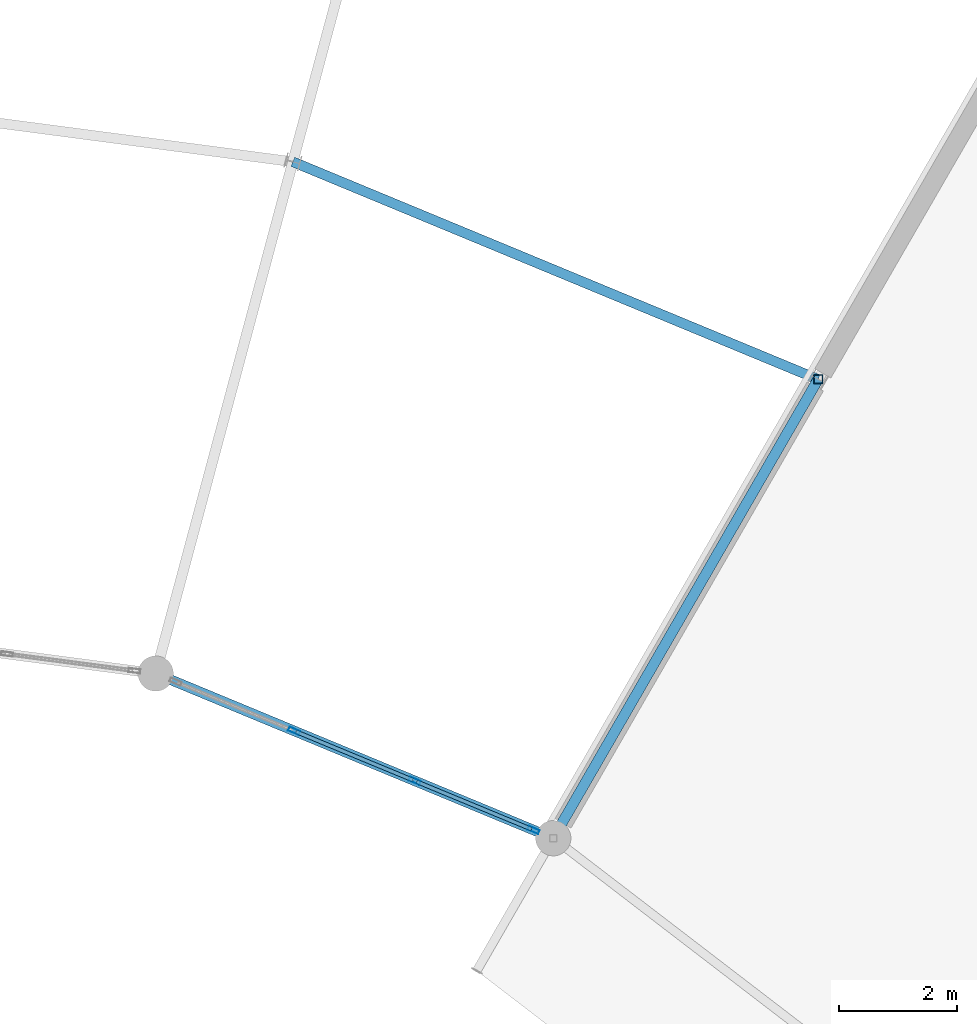
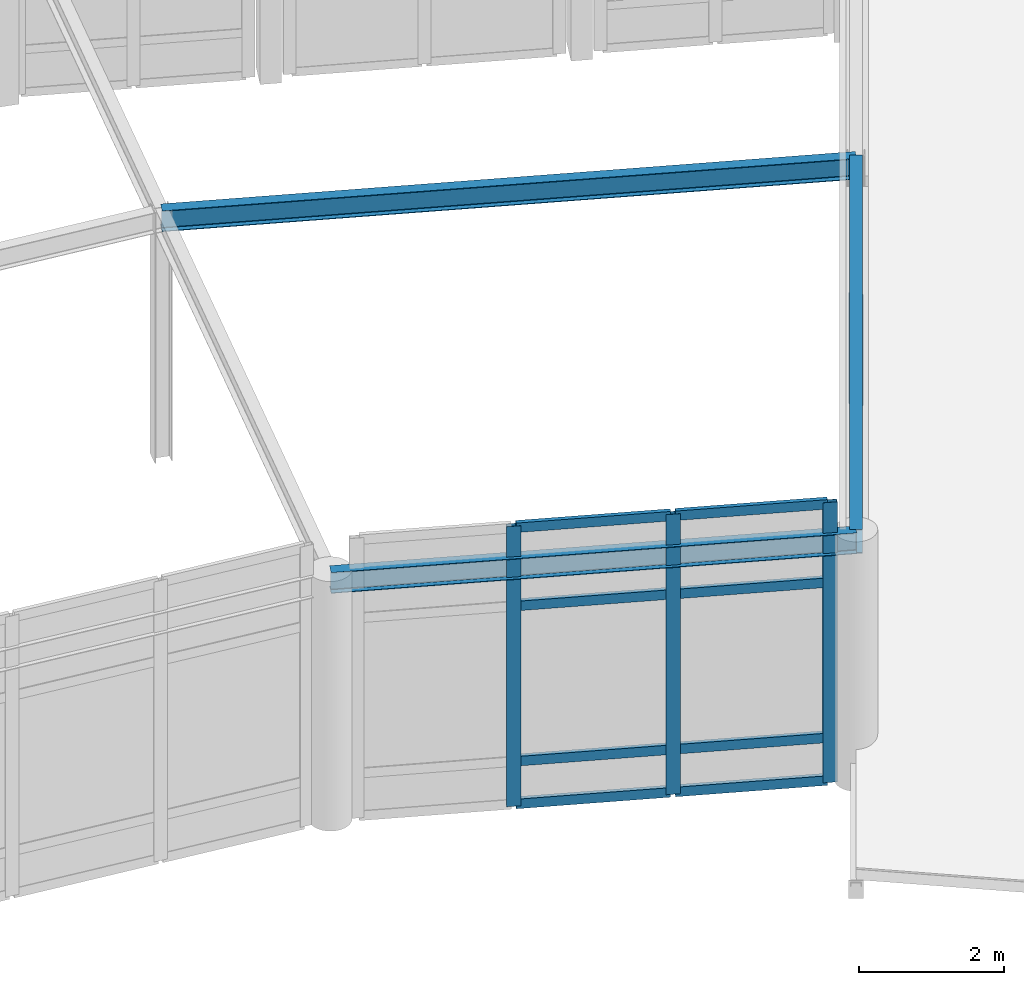
# One storey, part 51 of 93: 12 members, 3 beams, 1 element without a shape of its own.
"""IFC4 building model written with IfcOpenShell, lengths in metres."""

from ifc_helpers import new_model, si_unit, direction, frame, origin, origin_2d, place, context, subcontext, project, spatial, hollow_rectangle, i_section, extrude, material, material_profile, profile_set, type_object, element, aggregate, save


model = new_model("IFC4")

# Units and contexts
model_context = context("Model", 3, precision=1e-05, world=origin(), true_north=direction((0.0, 1.0)))
body_context = subcontext(model_context, "Body", "Model", "MODEL_VIEW")
ifc_project = project(units=[si_unit("LENGTHUNIT", "METRE"), si_unit("AREAUNIT", "SQUARE_METRE"), si_unit("VOLUMEUNIT", "CUBIC_METRE"), si_unit("PLANEANGLEUNIT", "RADIAN"), si_unit("MASSUNIT", "GRAM", prefix="KILO")], contexts=[model_context])

# Site, building, storey
site_placement = place(None, origin())
site = spatial("IfcSite", under=ifc_project, at=site_placement, CompositionType="ELEMENT")
building_placement = place(site_placement, origin())
building = spatial("IfcBuilding", under=site, at=building_placement, Name="Vondelvale Polytechnic", CompositionType="ELEMENT")
storey_placement = place(building_placement, frame((0.0, 0.0, 18.0)))
storey = spatial("IfcBuildingStorey", under=building, at=storey_placement, Name="L04", CompositionType="ELEMENT", Elevation=18.0)

# Beams
ifc_material_1 = material(Name="Steel 300PLUS (fy = 300 MPa)", Category="steel")
ifc_material_profile_1 = material_profile(ifc_material_1, i_section(OverallWidth=0.1708984375, OverallDepth=0.35205078125, WebThickness=0.0068359375, FlangeThickness=0.009765625, FilletRadius=0.011474609375, at=origin_2d()), Name="360UB44.7")
ifc_profile_set_1 = profile_set([ifc_material_profile_1], Name="Steel 300PLUS (fy = 300 MPa)")
beam_type_1 = type_object("IfcBeamType", Name="BM-UB360L", PredefinedType="BEAM", material=ifc_profile_set_1)
beam_1_placement = place(storey_placement, frame((116.0, 96.248779296875, 4.02392578125), z_axis=(-0.923886161226, 0.382667428841, 0.0), x_axis=(-0.382667428841, -0.923886161226, 0.0)))
element("IfcBeam", 1, at=beam_1_placement, inside=storey, type_object=beam_type_1, Name="L04 RE B-24", PredefinedType="BEAM", context=body_context, shape_type="SweptSolid", body=[
    extrude(i_section(OverallWidth=0.1708984375, OverallDepth=0.35205078125, WebThickness=0.0068359375, FlangeThickness=0.009765625, FilletRadius=0.011474609375, at=origin_2d()), origin(), (0.0, 0.0, 1.0), 7.3095703125),
])
beam_2_placement = place(storey_placement, frame((120.5, 104.04296875, 4.02392578125), z_axis=(-0.923878816854, 0.38268516011, 0.0), x_axis=(-0.38268516011, -0.923878816854, 0.0)))
element("IfcBeam", 2, at=beam_2_placement, inside=storey, type_object=beam_type_1, Name="L04 RE B-24", PredefinedType="BEAM", context=body_context, shape_type="SweptSolid", body=[
    extrude(i_section(OverallWidth=0.1708984375, OverallDepth=0.35205078125, WebThickness=0.0068359375, FlangeThickness=0.009765625, FilletRadius=0.011474609375, at=origin_2d()), origin(), (0.0, 0.0, 1.0), 9.658935546875),
])
ifc_material_profile_2 = material_profile(ifc_material_1, i_section(OverallWidth=0.177978515625, OverallDepth=0.403076171875, WebThickness=0.007568359375, FlangeThickness=0.010986328125, FilletRadius=0.011474609375, at=origin_2d()), Name="410UB53.7")
ifc_profile_set_2 = profile_set([ifc_material_profile_2], Name="Steel 300PLUS (fy = 300 MPa)")
beam_type_2 = type_object("IfcBeamType", Name="BM-UB410L", PredefinedType="BEAM", material=ifc_profile_set_2)
beam_3_placement = place(storey_placement, frame((116.0, 96.248779296875, 3.99853515625), z_axis=(0.5000018851, 0.866024315419, 0.0), x_axis=(-0.866024315419, 0.5000018851, 0.0)))
element("IfcBeam", 3, at=beam_3_placement, inside=storey, type_object=beam_type_2, Name="L04 REG B-23", PredefinedType="BEAM", context=body_context, shape_type="SweptSolid", body=[
    extrude(i_section(OverallWidth=0.177978515625, OverallDepth=0.403076171875, WebThickness=0.007568359375, FlangeThickness=0.010986328125, FilletRadius=0.011474609375, at=origin_2d()), origin(), (0.0, 0.0, 1.0), 9.0),
])

# Curtain wall, members
ifc_material_2 = material(Name="Anodised extruded aluminium 6063-T6", Category="aluminium")
curtain_wall_type = type_object("IfcCurtainWallType", Name="CW-RING-CLOISTER", PredefinedType="NOTDEFINED", material=ifc_material_2)
curtain_wall_placement = place(storey_placement, origin())
curtain_wall = element("IfcCurtainWall", 4, at=curtain_wall_placement, inside=storey, type_object=curtain_wall_type, Name="L04 architectural curtain wall CW-03-127", PredefinedType="NOTDEFINED")
ifc_material_profile_3 = material_profile(ifc_material_2, hollow_rectangle(XDim=0.070068359375, YDim=0.199951171875, WallThickness=0.00390625, at=origin_2d()), Name="CW-MUL-200x70")
ifc_profile_set_3 = profile_set([ifc_material_profile_3], Name="Anodised extruded aluminium 6063-T6")
member_type_1 = type_object("IfcMemberType", Name="CW-MUL-70x200", PredefinedType="MULLION", material=ifc_profile_set_3)
member_1_placement = place(storey_placement, frame((115.662841796875, 96.388427734375, 0.0), z_axis=(0.0, 0.0, 1.0), x_axis=(-0.382678531697, -0.923881562419, 0.0)))
member_1 = element("IfcMember", 5, at=member_1_placement, type_object=member_type_1, Name="CW-03-127 mullion 1", PredefinedType="MULLION", context=body_context, shape_type="SweptSolid", body=[
    extrude(hollow_rectangle(XDim=0.070068359375, YDim=0.199951171875, WallThickness=0.00390625, at=origin_2d()), origin(), (0.0, 0.0, 1.0), 4.713134765625),
])
member_2_placement = place(storey_placement, frame((113.647216796875, 97.22314453125, 0.0), z_axis=(0.0, 0.0, 1.0), x_axis=(-0.382678531697, -0.923881562419, 0.0)))
member_2 = element("IfcMember", 6, at=member_2_placement, type_object=member_type_1, Name="CW-03-127 mullion 2", PredefinedType="MULLION", context=body_context, shape_type="SweptSolid", body=[
    extrude(hollow_rectangle(XDim=0.070068359375, YDim=0.199951171875, WallThickness=0.00390625, at=origin_2d()), origin(), (0.0, 0.0, 1.0), 4.713134765625),
])
member_3_placement = place(storey_placement, frame((111.599609375, 98.0712890625, 0.0), z_axis=(0.0, 0.0, 1.0), x_axis=(-0.382678531697, -0.923881562419, 0.0)))
member_3 = element("IfcMember", 7, at=member_3_placement, type_object=member_type_1, Name="CW-03-127 mullion 3", PredefinedType="MULLION", context=body_context, shape_type="SweptSolid", body=[
    extrude(hollow_rectangle(XDim=0.070068359375, YDim=0.199951171875, WallThickness=0.00390625, at=origin_2d()), origin(), (0.0, 0.0, 1.0), 4.713134765625),
])
ifc_material_profile_4 = material_profile(ifc_material_2, hollow_rectangle(XDim=0.06494140625, YDim=0.159912109375, WallThickness=0.00341796875, at=origin_2d()), Name="CW-TRN-160x65")
ifc_profile_set_4 = profile_set([ifc_material_profile_4], Name="Anodised extruded aluminium 6063-T6")
member_type_2 = type_object("IfcMemberType", Name="CW-TRN-70x160", PredefinedType="USERDEFINED", material=ifc_profile_set_4)
member_4_placement = place(storey_placement, frame((115.63037109375, 96.40185546875, 0.032470703125), z_axis=(-0.923902685011, 0.382627532503, 0.0), x_axis=(-0.382627532503, -0.923902685011, 0.0)))
member_4 = element("IfcMember", 8, at=member_4_placement, type_object=member_type_2, Name="CW-03-127 transom 1.1", ObjectType="TRANSOM", PredefinedType="USERDEFINED", context=body_context, shape_type="SweptSolid", body=[
    extrude(hollow_rectangle(XDim=0.06494140625, YDim=0.159912109375, WallThickness=0.00341796875, at=origin_2d()), origin(), (0.0, 0.0, 1.0), 2.111328125),
])
member_5_placement = place(storey_placement, frame((115.63037109375, 96.40185546875, 0.75), z_axis=(-0.923902685011, 0.382627532503, 0.0), x_axis=(-0.382627532503, -0.923902685011, 0.0)))
member_5 = element("IfcMember", 9, at=member_5_placement, type_object=member_type_2, Name="CW-03-127 transom 1.2", ObjectType="TRANSOM", PredefinedType="USERDEFINED", context=body_context, shape_type="SweptSolid", body=[
    extrude(hollow_rectangle(XDim=0.06494140625, YDim=0.159912109375, WallThickness=0.00341796875, at=origin_2d()), origin(), (0.0, 0.0, 1.0), 2.111328125),
])
member_6_placement = place(storey_placement, frame((115.63037109375, 96.40185546875, 3.36328125), z_axis=(-0.923902685011, 0.382627532503, 0.0), x_axis=(-0.382627532503, -0.923902685011, 0.0)))
member_6 = element("IfcMember", 10, at=member_6_placement, type_object=member_type_2, Name="CW-03-127 transom 1.3", ObjectType="TRANSOM", PredefinedType="USERDEFINED", context=body_context, shape_type="SweptSolid", body=[
    extrude(hollow_rectangle(XDim=0.06494140625, YDim=0.159912109375, WallThickness=0.00341796875, at=origin_2d()), origin(), (0.0, 0.0, 1.0), 2.111328125),
])
member_7_placement = place(storey_placement, frame((115.63037109375, 96.40185546875, 4.6806640625), z_axis=(-0.923902685011, 0.382627532503, 0.0), x_axis=(-0.382627532503, -0.923902685011, 0.0)))
member_7 = element("IfcMember", 11, at=member_7_placement, type_object=member_type_2, Name="CW-03-127 transom 1.4", ObjectType="TRANSOM", PredefinedType="USERDEFINED", context=body_context, shape_type="SweptSolid", body=[
    extrude(hollow_rectangle(XDim=0.06494140625, YDim=0.159912109375, WallThickness=0.00341796875, at=origin_2d()), origin(), (0.0, 0.0, 1.0), 2.111328125),
])
member_8_placement = place(storey_placement, frame((113.614990234375, 97.236572265625, 0.032470703125), z_axis=(-0.923865730094, 0.382716752649, 0.0), x_axis=(-0.382716752649, -0.923865730094, 0.0)))
member_8 = element("IfcMember", 12, at=member_8_placement, type_object=member_type_2, Name="CW-03-127 transom 2.1", ObjectType="TRANSOM", PredefinedType="USERDEFINED", context=body_context, shape_type="SweptSolid", body=[
    extrude(hollow_rectangle(XDim=0.06494140625, YDim=0.159912109375, WallThickness=0.00341796875, at=origin_2d()), origin(), (0.0, 0.0, 1.0), 2.146484375),
])
member_9_placement = place(storey_placement, frame((113.614990234375, 97.236572265625, 0.75), z_axis=(-0.923865730094, 0.382716752649, 0.0), x_axis=(-0.382716752649, -0.923865730094, 0.0)))
member_9 = element("IfcMember", 13, at=member_9_placement, type_object=member_type_2, Name="CW-03-127 transom 2.2", ObjectType="TRANSOM", PredefinedType="USERDEFINED", context=body_context, shape_type="SweptSolid", body=[
    extrude(hollow_rectangle(XDim=0.06494140625, YDim=0.159912109375, WallThickness=0.00341796875, at=origin_2d()), origin(), (0.0, 0.0, 1.0), 2.146484375),
])
member_10_placement = place(storey_placement, frame((113.614990234375, 97.236572265625, 3.36328125), z_axis=(-0.923865730094, 0.382716752649, 0.0), x_axis=(-0.382716752649, -0.923865730094, 0.0)))
member_10 = element("IfcMember", 14, at=member_10_placement, type_object=member_type_2, Name="CW-03-127 transom 2.3", ObjectType="TRANSOM", PredefinedType="USERDEFINED", context=body_context, shape_type="SweptSolid", body=[
    extrude(hollow_rectangle(XDim=0.06494140625, YDim=0.159912109375, WallThickness=0.00341796875, at=origin_2d()), origin(), (0.0, 0.0, 1.0), 2.146484375),
])
member_11_placement = place(storey_placement, frame((113.614990234375, 97.236572265625, 4.6806640625), z_axis=(-0.923865730094, 0.382716752649, 0.0), x_axis=(-0.382716752649, -0.923865730094, 0.0)))
member_11 = element("IfcMember", 15, at=member_11_placement, type_object=member_type_2, Name="CW-03-127 transom 2.4", ObjectType="TRANSOM", PredefinedType="USERDEFINED", context=body_context, shape_type="SweptSolid", body=[
    extrude(hollow_rectangle(XDim=0.06494140625, YDim=0.159912109375, WallThickness=0.00341796875, at=origin_2d()), origin(), (0.0, 0.0, 1.0), 2.146484375),
])
aggregate(curtain_wall, [member_1, member_2, member_3, member_4, member_5, member_6, member_7, member_8, member_9, member_10, member_11])

# Member
ifc_material_3 = material(Name="Steel C350L0 (fy = 350 MPa)", Category="steel")
ifc_material_profile_5 = material_profile(ifc_material_3, hollow_rectangle(XDim=0.14990234375, YDim=0.14990234375, WallThickness=0.006103515625, at=origin_2d()), Name="150x150x6.0SHS")
ifc_profile_set_5 = profile_set([ifc_material_profile_5], Name="Steel C350L0 (fy = 350 MPa)")
member_type_3 = type_object("IfcMemberType", Name="ROOF TRUSS POST 150SHS", PredefinedType="POST", material=ifc_profile_set_5)
member_12_placement = place(storey_placement, frame((120.5, 104.04296875, 0.0), z_axis=(0.0, 0.0, 1.0), x_axis=(1.0, 0.0, 0.0)))
element("IfcMember", 16, at=member_12_placement, inside=storey, type_object=member_type_3, Name="Ring step mid roof post 03", PredefinedType="POST", context=body_context, shape_type="SweptSolid", body=[
    extrude(hollow_rectangle(XDim=0.14990234375, YDim=0.14990234375, WallThickness=0.006103515625, at=origin_2d()), origin(), (0.0, 0.0, 1.0), 1.86572265625),
])

save(model, "model.ifc")
